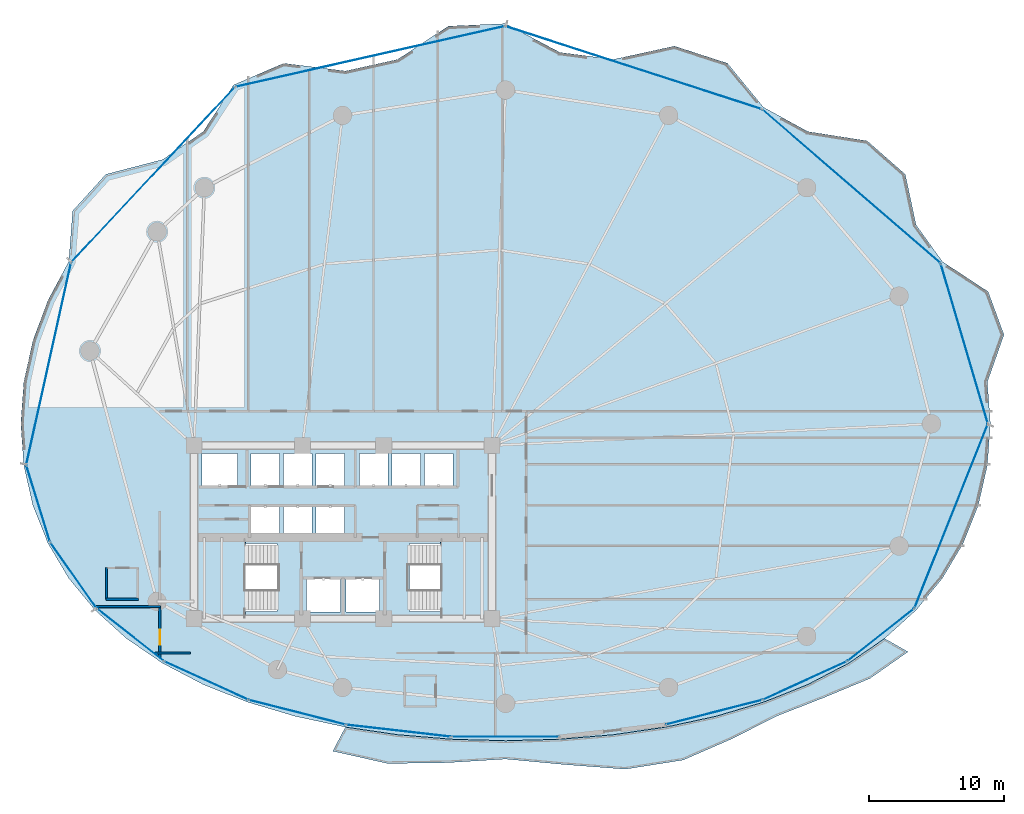
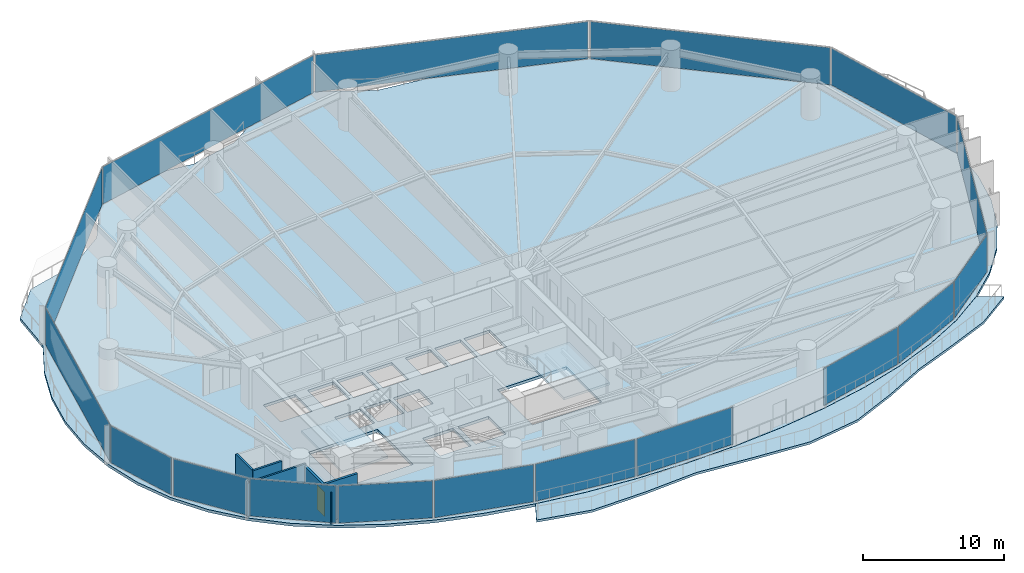
# One storey, part 25 of 33: 17 plates, 5 walls, 4 slabs, 1 door, 1 opening, 19 elements without a shape of their own.
"""IFC4 building model written with IfcOpenShell, lengths in metres."""

import ifcopenshell
import ifcopenshell.guid

model = None  # the IFC model being written
_history = None  # IfcOwnerHistory: only IFC2X3 demands one
_inside = {}  # id of a spatial element -> (the spatial element, [elements in it])
_under = {}  # id of a project, library or spatial element -> (it, [spatial elements below it])
_declared = {}  # id of a project -> (the project, [libraries it declares])
_typed = {}  # id of a type object -> (the type object, [elements of that type])
_made_of = {}  # id of a material, layer set ... -> (it, [elements and type objects made of it])


def new_model(schema):
    """Start an empty IFC model of exactly this schema.

    Asked for "IFC4X3", IfcOpenShell would pick the latest addendum, in which some entities
    have other attributes; the version numbers below select the first issue.
    IFC2X3 requires an IfcOwnerHistory on every rooted entity: one is made here for all.
    """
    global model, _history
    if schema == "IFC4X3":
        model = ifcopenshell.file(schema_version=(4, 3, 0, 0))
    else:
        model = ifcopenshell.file(schema=schema)
    _inside.clear()
    _under.clear()
    _declared.clear()
    _typed.clear()
    _made_of.clear()
    _history = None
    if model.schema == "IFC2X3":
        org = make("IfcOrganization", Name="unknown")
        user = make(
            "IfcPersonAndOrganization",
            ThePerson=make("IfcPerson", FamilyName="unknown"),
            TheOrganization=org,
        )
        app = make(
            "IfcApplication",
            ApplicationDeveloper=org,
            Version="unknown",
            ApplicationFullName="unknown",
            ApplicationIdentifier="unknown",
        )
        _history = make(
            "IfcOwnerHistory",
            OwningUser=user,
            OwningApplication=app,
            ChangeAction="ADDED",
            CreationDate=0,
        )
    return model


def make(cls, **values):
    """One entity of the class cls with the attributes given. An attribute that is None is left unset."""
    return model.create_entity(
        cls, **{name: value for name, value in values.items() if value is not None}
    )


def rooted(cls, **values):
    """An entity with a GlobalId (a new one), such as an element, a storey or a relation."""
    return make(cls, GlobalId=ifcopenshell.guid.new(), OwnerHistory=_history, **values)


def si_unit(unit_type, name, prefix=None):
    """IfcSIUnit, for example si_unit("LENGTHUNIT", "METRE", prefix="MILLI")."""
    return make("IfcSIUnit", UnitType=unit_type, Prefix=prefix, Name=name)


def assignment(units):
    """IfcUnitAssignment: the units of a project."""
    return None if units is None else make("IfcUnitAssignment", Units=units)


def point(xyz):
    """IfcCartesianPoint."""
    return None if xyz is None else make("IfcCartesianPoint", Coordinates=xyz)


def direction(xyz):
    """IfcDirection."""
    return None if xyz is None else make("IfcDirection", DirectionRatios=xyz)


def frame(location, z_axis=None, x_axis=None):
    """IfcAxis2Placement3D, a coordinate frame: its origin and axes. An axis left out is left unset."""
    return make(
        "IfcAxis2Placement3D",
        Location=point(location),
        Axis=direction(z_axis),
        RefDirection=direction(x_axis),
    )


def frame_2d(location, x_axis=None):
    """IfcAxis2Placement2D, a coordinate frame in the plane: its origin and x axis."""
    return make(
        "IfcAxis2Placement2D", Location=point(location), RefDirection=direction(x_axis)
    )


def origin():
    """The frame at (0, 0, 0) with its axes left unset."""
    return frame((0.0, 0.0, 0.0))


def origin_2d():
    """The frame at (0, 0) in the plane with its x axis left unset."""
    return frame_2d((0.0, 0.0))


def place(relative_to, where):
    """IfcLocalPlacement: puts the frame where relative to a parent placement (None: the world)."""
    return make(
        "IfcLocalPlacement", PlacementRelTo=relative_to, RelativePlacement=where
    )


def context(
    kind, dimensions, precision=None, world=None, true_north=None, identifier=None
):
    """IfcGeometricRepresentationContext, for example the 3D "Model" context."""
    return make(
        "IfcGeometricRepresentationContext",
        ContextIdentifier=identifier,
        ContextType=kind,
        CoordinateSpaceDimension=dimensions,
        Precision=precision,
        WorldCoordinateSystem=world,
        TrueNorth=true_north,
    )


def subcontext(parent, identifier, kind, view, scale=None):
    """IfcGeometricRepresentationSubContext, for example "Body" below "Model"."""
    return make(
        "IfcGeometricRepresentationSubContext",
        ContextIdentifier=identifier,
        ContextType=kind,
        ParentContext=parent,
        TargetScale=scale,
        TargetView=view,
    )


def project(units=None, contexts=None):
    """IfcProject with its units and contexts."""
    return rooted(
        "IfcProject",
        Name="project",
        RepresentationContexts=contexts,
        UnitsInContext=assignment(units),
    )


def spatial(cls, under=None, at=None, **own):
    """A site, building, storey or space (cls), placed at a placement, below another one or the project."""
    s = rooted(cls, ObjectPlacement=at, **own)
    if under is not None:
        _under.setdefault(under.id(), (under, []))[1].append(s)
    return s


def polyline(points):
    """IfcPolyline through the points."""
    return make("IfcPolyline", Points=[point(p) for p in points])


def profile(cls, at=None, kind="AREA", **sizes):
    """A parametric profile (cls). Its sizes go by their IFC names, for example OverallWidth=200.0."""
    return make(cls, ProfileType=kind, Position=at, **sizes)


def rectangle(**sizes):
    """IfcRectangleProfileDef."""
    return profile("IfcRectangleProfileDef", **sizes)


def outline(outer, holes=None, kind="AREA"):
    """IfcArbitraryClosedProfileDef: a profile drawn as a closed curve; with holes, ...WithVoids."""
    if holes is None:
        return make("IfcArbitraryClosedProfileDef", ProfileType=kind, OuterCurve=outer)
    return make(
        "IfcArbitraryProfileDefWithVoids",
        ProfileType=kind,
        OuterCurve=outer,
        InnerCurves=holes,
    )


def extrude(swept, where, along, depth):
    """IfcExtrudedAreaSolid: the profile swept, set in the frame where, extruded along a direction by depth."""
    return make(
        "IfcExtrudedAreaSolid",
        SweptArea=swept,
        Position=where,
        ExtrudedDirection=direction(along),
        Depth=depth,
    )


def shape(context_of_items, identifier, shape_type, items):
    """IfcShapeRepresentation: the items that make up one representation, for example the "Body"."""
    return make(
        "IfcShapeRepresentation",
        ContextOfItems=context_of_items,
        RepresentationIdentifier=identifier,
        RepresentationType=shape_type,
        Items=items,
    )


def material(Name=None, Category=None):
    """IfcMaterial."""
    return make("IfcMaterial", Name=Name, Category=Category)


def layer(
    of_material, thickness, ventilated=None, Name=None, Category=None, Priority=None
):
    """IfcMaterialLayer: one layer of a wall or slab, of a material (None: an air gap)."""
    return make(
        "IfcMaterialLayer",
        Material=of_material,
        LayerThickness=thickness,
        IsVentilated=ventilated,
        Name=Name,
        Category=Category,
        Priority=Priority,
    )


def layer_set(layers, Name=None):
    """IfcMaterialLayerSet."""
    return make("IfcMaterialLayerSet", MaterialLayers=layers, LayerSetName=Name)


def made_of(thing, what):
    """Note that an element or type object is made of a material, layer set ...; save() writes the relation."""
    if what is not None:
        _made_of.setdefault(what.id(), (what, []))[1].append(thing)
    return thing


def type_object(cls, material=None, **own):
    """A type object (cls), such as IfcWallType, which elements share."""
    return made_of(rooted(cls, **own), material)


def element(
    cls,
    number,
    at=None,
    inside=None,
    cuts=None,
    type_object=None,
    material=None,
    context=None,
    identifier="Body",
    shape_type=None,
    held_by="IfcProductDefinitionShape",
    body=None,
    shapes=None,
    **own,
):
    """One element of the class cls, such as IfcWall. Its Tag is "e" and its number.

    at: its placement. inside: the storey or other place that contains it. cuts: it is an
    opening in that element (IfcRelVoidsElement). A single representation is given by context,
    identifier, shape_type and body (its items); several are given by shapes. held_by: the class
    of the entity that holds the representations. save() writes the other relations.
    """
    e = rooted(cls, Tag="e%d" % number, ObjectPlacement=at, **own)
    if body is not None:
        shapes = [shape(context, identifier, shape_type, body)]
    if shapes is not None:
        e.Representation = make(held_by, Representations=shapes)
    if inside is not None:
        _inside.setdefault(inside.id(), (inside, []))[1].append(e)
    if cuts is not None:
        rooted(
            "IfcRelVoidsElement", RelatingBuildingElement=cuts, RelatedOpeningElement=e
        )
    if type_object is not None:
        _typed.setdefault(type_object.id(), (type_object, []))[1].append(e)
    return made_of(e, material)


def fill(opening, filler):
    """IfcRelFillsElement: the door or window that sits in an opening."""
    return rooted(
        "IfcRelFillsElement",
        RelatingOpeningElement=opening,
        RelatedBuildingElement=filler,
    )


def aggregate(whole, parts):
    """IfcRelAggregates: a whole, such as a stair, and the parts it consists of."""
    return rooted("IfcRelAggregates", RelatingObject=whole, RelatedObjects=parts)


def save(model, path):
    """Write the relations noted so far, then the file.

    IfcRelAggregates (storeys below a building ...), IfcRelContainedInSpatialStructure (elements
    in a storey), IfcRelDefinesByType, IfcRelAssociatesMaterial and IfcRelDeclares: one each for
    every whole, place, type object, material and project.
    """
    for whole, parts in _under.values():
        aggregate(whole, parts)
    for where, things in _inside.values():
        rooted(
            "IfcRelContainedInSpatialStructure",
            RelatedElements=things,
            RelatingStructure=where,
        )
    for kind, things in _typed.values():
        rooted("IfcRelDefinesByType", RelatedObjects=things, RelatingType=kind)
    for what, things in _made_of.values():
        rooted("IfcRelAssociatesMaterial", RelatedObjects=things, RelatingMaterial=what)
    for by, libraries in _declared.values():
        rooted("IfcRelDeclares", RelatingContext=by, RelatedDefinitions=libraries)
    model.write(path)


model = new_model("IFC4")

# Units and contexts
model_context = context("Model", 3, precision=1e-05, world=origin(), true_north=direction((0.0, 1.0)))
body_context = subcontext(model_context, "Body", "Model", "MODEL_VIEW")
ifc_project = project(units=[si_unit("LENGTHUNIT", "METRE"), si_unit("AREAUNIT", "SQUARE_METRE"), si_unit("VOLUMEUNIT", "CUBIC_METRE"), si_unit("PLANEANGLEUNIT", "RADIAN"), si_unit("MASSUNIT", "GRAM", prefix="KILO")], contexts=[model_context])

# Site, building, storey
site_placement = place(None, origin())
site = spatial("IfcSite", under=ifc_project, at=site_placement, CompositionType="ELEMENT")
building_placement = place(site_placement, origin())
building = spatial("IfcBuilding", under=site, at=building_placement, Name="Kazevale Care Tower and Concert Hall", CompositionType="ELEMENT")
storey_placement = place(building_placement, frame((0.0, 0.0, 45.60009765625)))
storey = spatial("IfcBuildingStorey", under=building, at=storey_placement, Name="L11", CompositionType="ELEMENT", Elevation=45.60009765625)

# Curtain wall, plate
ifc_material_1 = material(Name="Aluminium 6063-T6 and Low-E Glass", Category="aluminium")
ifc_layer_1 = layer(ifc_material_1, 0.179931640625)
ifc_layer_set_1 = layer_set([ifc_layer_1], Name="Aluminium 6063-T6 and Low-E Glass")
curtain_wall_type_1 = type_object("IfcCurtainWallType", Name="Convex Checkerboard Finned Curtain Wall CW-2", PredefinedType="NOTDEFINED", material=ifc_layer_set_1)
curtain_wall_1_placement = place(storey_placement, origin())
curtain_wall_1 = element("IfcCurtainWall", 1, at=curtain_wall_1_placement, inside=storey, type_object=curtain_wall_type_1, Name="cw:L11:f14", PredefinedType="NOTDEFINED")
ifc_material_2 = material(Name="Low-E Laminated Glass", Category="glass")
ifc_layer_2 = layer(ifc_material_2, 0.028076171875)
ifc_layer_set_2 = layer_set([ifc_layer_2], Name="Low-E Laminated Glass")
plate_type_1 = type_object("IfcPlateType", Name="CW-2 Low-E Glazing Panel 28mm", PredefinedType="CURTAIN_PANEL", material=ifc_layer_set_2)
plate_1_placement = place(storey_placement, frame((18.9794921875, 56.39990234375, 0.074951171875), z_axis=(0.0, 0.0, 1.0), x_axis=(0.683059159381, 0.730363049987, 0.0)))
plate_1 = element("IfcPlate", 2, at=plate_1_placement, type_object=plate_type_1, Name="CW-2 panel 1.1", PredefinedType="CURTAIN_PANEL", context=body_context, shape_type="SweptSolid", body=[
    extrude(rectangle(XDim=17.576416015625, YDim=0.028076171875, at=origin_2d()), origin(), (0.0, 0.0, 1.0), 3.2099609375),
])
aggregate(curtain_wall_1, [plate_1])

curtain_wall_2_placement = place(storey_placement, origin())
curtain_wall_2 = element("IfcCurtainWall", 3, at=curtain_wall_2_placement, inside=storey, type_object=curtain_wall_type_1, Name="cw:L11:f16", PredefinedType="NOTDEFINED")
plate_2_placement = place(storey_placement, frame((54.444580078125, 64.298095703125, 0.074951171875), z_axis=(0.0, 0.0, 1.0), x_axis=(0.951410385043, -0.307925769029, 0.0)))
plate_2 = element("IfcPlate", 4, at=plate_2_placement, type_object=plate_type_1, Name="CW-2 panel 1.1", PredefinedType="CURTAIN_PANEL", context=body_context, shape_type="SweptSolid", body=[
    extrude(rectangle(XDim=19.77978515625, YDim=0.028076171875, at=origin_2d()), origin(), (0.0, 0.0, 1.0), 3.2099609375),
])
aggregate(curtain_wall_2, [plate_2])

ifc_layer_3 = layer(ifc_material_1, 0.179931640625)
ifc_layer_set_3 = layer_set([ifc_layer_3], Name="Aluminium 6063-T6 and Low-E Glass")
curtain_wall_type_2 = type_object("IfcCurtainWallType", Name="Convex Recessed Sunroom Curtain Wall CW-3", PredefinedType="NOTDEFINED", material=ifc_layer_set_3)
curtain_wall_3_placement = place(storey_placement, origin())
curtain_wall_3 = element("IfcCurtainWall", 5, at=curtain_wall_3_placement, inside=storey, type_object=curtain_wall_type_2, Name="cw:L11:f15", PredefinedType="NOTDEFINED")
ifc_layer_4 = layer(ifc_material_2, 0.028076171875)
ifc_layer_set_4 = layer_set([ifc_layer_4], Name="Low-E Laminated Glass")
plate_type_2 = type_object("IfcPlateType", Name="CW-3 Low-E Glazing Panel 28mm", PredefinedType="CURTAIN_PANEL", material=ifc_layer_set_4)
plate_3_placement = place(storey_placement, frame((34.998046875, 65.12255859375, 0.074951171875), z_axis=(0.0, 0.0, 1.0), x_axis=(0.975520013596, 0.219910670667, 0.0)))
plate_3 = element("IfcPlate", 6, at=plate_3_placement, type_object=plate_type_2, Name="CW-3 panel 1.1", PredefinedType="CURTAIN_PANEL", context=body_context, shape_type="SweptSolid", body=[
    extrude(rectangle(XDim=20.27197265625, YDim=0.028076171875, at=origin_2d()), origin(), (0.0, 0.0, 1.0), 3.2099609375),
])
aggregate(curtain_wall_3, [plate_3])

curtain_wall_4_placement = place(storey_placement, origin())
curtain_wall_4 = element("IfcCurtainWall", 7, at=curtain_wall_4_placement, inside=storey, type_object=curtain_wall_type_2, Name="cw:L11:f17", PredefinedType="NOTDEFINED")
plate_4_placement = place(storey_placement, frame((70.529052734375, 55.535400390625, 0.074951171875), z_axis=(0.0, 0.0, 1.0), x_axis=(0.757199570248, -0.653183596561, 0.0)))
plate_4 = element("IfcPlate", 8, at=plate_4_placement, type_object=plate_type_2, Name="CW-3 panel 1.1", PredefinedType="CURTAIN_PANEL", context=body_context, shape_type="SweptSolid", body=[
    extrude(rectangle(XDim=17.280029296875, YDim=0.028076171875, at=origin_2d()), origin(), (0.0, 0.0, 1.0), 3.2099609375),
])
aggregate(curtain_wall_4, [plate_4])

ifc_layer_5 = layer(ifc_material_1, 0.179931640625)
ifc_layer_set_5 = layer_set([ifc_layer_5], Name="Aluminium 6063-T6 and Low-E Glass")
curtain_wall_type_3 = type_object("IfcCurtainWallType", Name="Waist & Upper Residential Curtain Wall CW-4", PredefinedType="NOTDEFINED", material=ifc_layer_set_5)
curtain_wall_5_placement = place(storey_placement, origin())
curtain_wall_5 = element("IfcCurtainWall", 9, at=curtain_wall_5_placement, inside=storey, type_object=curtain_wall_type_3, Name="cw:L11:f01", PredefinedType="NOTDEFINED")
ifc_layer_6 = layer(ifc_material_2, 0.030029296875)
ifc_layer_set_6 = layer_set([ifc_layer_6], Name="Low-E Laminated Glass")
plate_type_3 = type_object("IfcPlateType", Name="CW-4 Low-E Glazing Panel 30mm", PredefinedType="CURTAIN_PANEL", material=ifc_layer_set_6)
plate_5_placement = place(storey_placement, frame((77.90087890625, 31.181884765625, 0.080078125), z_axis=(0.0, 0.0, 1.0), x_axis=(-0.370427424456, -0.928861412274, 0.0)))
plate_5 = element("IfcPlate", 10, at=plate_5_placement, type_object=plate_type_3, Name="CW-4 panel 1.1", PredefinedType="CURTAIN_PANEL", context=body_context, shape_type="SweptSolid", body=[
    extrude(rectangle(XDim=14.520263671875, YDim=0.030029296875, at=origin_2d()), origin(), (0.0, 0.0, 1.0), 3.199951171875),
])
aggregate(curtain_wall_5, [plate_5])

curtain_wall_6_placement = place(storey_placement, origin())
curtain_wall_6 = element("IfcCurtainWall", 11, at=curtain_wall_6_placement, inside=storey, type_object=curtain_wall_type_3, Name="cw:L11:f11", PredefinedType="NOTDEFINED")
plate_6_placement = place(storey_placement, frame((13.094482421875, 26.81103515625, 0.080078125), z_axis=(0.0, 0.0, 1.0), x_axis=(-0.575836813322, 0.817564654583, 0.0)))
plate_6 = element("IfcPlate", 12, at=plate_6_placement, type_object=plate_type_3, Name="CW-4 panel 1.1", PredefinedType="CURTAIN_PANEL", context=body_context, shape_type="SweptSolid", body=[
    extrude(rectangle(XDim=5.826171875, YDim=0.030029296875, at=origin_2d()), origin(), (0.0, 0.0, 1.0), 3.199951171875),
])
aggregate(curtain_wall_6, [plate_6])

curtain_wall_7_placement = place(storey_placement, origin())
curtain_wall_7 = element("IfcCurtainWall", 13, at=curtain_wall_7_placement, inside=storey, type_object=curtain_wall_type_3, Name="cw:L11:f12", PredefinedType="NOTDEFINED")
plate_7_placement = place(storey_placement, frame((10.487548828125, 32.10791015625, 0.080078125), z_axis=(0.0, 0.0, 1.0), x_axis=(-0.296098771112, 0.955157326175, 0.0)))
plate_7 = element("IfcPlate", 14, at=plate_7_placement, type_object=plate_type_3, Name="CW-4 panel 1.1", PredefinedType="CURTAIN_PANEL", context=body_context, shape_type="SweptSolid", body=[
    extrude(rectangle(XDim=5.8076171875, YDim=0.030029296875, at=origin_2d()), origin(), (0.0, 0.0, 1.0), 3.199951171875),
])
aggregate(curtain_wall_7, [plate_7])

curtain_wall_8_placement = place(storey_placement, origin())
curtain_wall_8 = element("IfcCurtainWall", 15, at=curtain_wall_8_placement, inside=storey, type_object=curtain_wall_type_3, Name="cw:L11:f13", PredefinedType="NOTDEFINED")
plate_8_placement = place(storey_placement, frame((11.262939453125, 42.4404296875, 0.080078125), z_axis=(0.0, 0.0, 1.0), x_axis=(0.216460716862, 0.976291328475, 0.0)))
plate_8 = element("IfcPlate", 16, at=plate_8_placement, type_object=plate_type_3, Name="CW-4 panel 1.1", PredefinedType="CURTAIN_PANEL", context=body_context, shape_type="SweptSolid", body=[
    extrude(rectangle(XDim=15.16845703125, YDim=0.030029296875, at=origin_2d()), origin(), (0.0, 0.0, 1.0), 3.199951171875),
])
aggregate(curtain_wall_8, [plate_8])

curtain_wall_9_placement = place(storey_placement, origin())
curtain_wall_9 = element("IfcCurtainWall", 17, at=curtain_wall_9_placement, inside=storey, type_object=curtain_wall_type_3, Name="cw:L11:f18", PredefinedType="NOTDEFINED")
plate_9_placement = place(storey_placement, frame((78.8740234375, 43.92138671875, 0.080078125), z_axis=(0.0, 0.0, 1.0), x_axis=(0.282819600918, -0.959173119586, 0.0)))
plate_9 = element("IfcPlate", 18, at=plate_9_placement, type_object=plate_type_3, Name="CW-4 panel 1.1", PredefinedType="CURTAIN_PANEL", context=body_context, shape_type="SweptSolid", body=[
    extrude(rectangle(XDim=12.18701171875, YDim=0.030029296875, at=origin_2d()), origin(), (0.0, 0.0, 1.0), 3.199951171875),
])
aggregate(curtain_wall_9, [plate_9])

ifc_layer_7 = layer(ifc_material_1, 0.179931640625)
ifc_layer_set_7 = layer_set([ifc_layer_7], Name="Aluminium 6063-T6 and Low-E Glass")
curtain_wall_type_4 = type_object("IfcCurtainWallType", Name="Sheltered Concave Balcony Curtain Wall CW-5", PredefinedType="NOTDEFINED", material=ifc_layer_set_7)
curtain_wall_10_placement = place(storey_placement, origin())
curtain_wall_10 = element("IfcCurtainWall", 19, at=curtain_wall_10_placement, inside=storey, type_object=curtain_wall_type_4, Name="cw:L11:f02", PredefinedType="NOTDEFINED")
ifc_layer_8 = layer(ifc_material_2, 0.02587890625)
ifc_layer_set_8 = layer_set([ifc_layer_8], Name="Low-E Laminated Glass")
plate_type_4 = type_object("IfcPlateType", Name="CW-5 Low-E Glazing Panel 26mm", PredefinedType="CURTAIN_PANEL", material=ifc_layer_set_8)
plate_10_placement = place(storey_placement, frame((72.701904296875, 22.41552734375, 0.074951171875), z_axis=(0.0, 0.0, 1.0), x_axis=(-0.78632934107, -0.617807548814, 0.0)))
plate_10 = element("IfcPlate", 20, at=plate_10_placement, type_object=plate_type_4, Name="CW-5 panel 1.1", PredefinedType="CURTAIN_PANEL", context=body_context, shape_type="SweptSolid", body=[
    extrude(rectangle(XDim=6.15771484375, YDim=0.02587890625, at=origin_2d()), origin(), (0.0, 0.0, 1.0), 3.2099609375),
])
aggregate(curtain_wall_10, [plate_10])

curtain_wall_11_placement = place(storey_placement, origin())
curtain_wall_11 = element("IfcCurtainWall", 21, at=curtain_wall_11_placement, inside=storey, type_object=curtain_wall_type_4, Name="cw:L11:f03", PredefinedType="NOTDEFINED")
plate_11_placement = place(storey_placement, frame((67.10498046875, 19.04248046875, 0.074951171875), z_axis=(0.0, 0.0, 1.0), x_axis=(-0.909520179795, -0.415659767773, 0.0)))
plate_11 = element("IfcPlate", 22, at=plate_11_placement, type_object=plate_type_4, Name="CW-5 panel 1.1", PredefinedType="CURTAIN_PANEL", context=body_context, shape_type="SweptSolid", body=[
    extrude(rectangle(XDim=6.7041015625, YDim=0.02587890625, at=origin_2d()), origin(), (0.0, 0.0, 1.0), 3.2099609375),
])
aggregate(curtain_wall_11, [plate_11])

curtain_wall_12_placement = place(storey_placement, origin())
curtain_wall_12 = element("IfcCurtainWall", 23, at=curtain_wall_12_placement, inside=storey, type_object=curtain_wall_type_4, Name="cw:L11:f04", PredefinedType="NOTDEFINED")
plate_12_placement = place(storey_placement, frame((60.389892578125, 16.699951171875, 0.074951171875), z_axis=(0.0, 0.0, 1.0), x_axis=(-0.968958899798, -0.247221864936, 0.0)))
plate_12 = element("IfcPlate", 24, at=plate_12_placement, type_object=plate_type_4, Name="CW-5 panel 1.1", PredefinedType="CURTAIN_PANEL", context=body_context, shape_type="SweptSolid", body=[
    extrude(rectangle(XDim=7.276611328125, YDim=0.02587890625, at=origin_2d()), origin(), (0.0, 0.0, 1.0), 3.2099609375),
])
aggregate(curtain_wall_12, [plate_12])

curtain_wall_13_placement = place(storey_placement, origin())
curtain_wall_13 = element("IfcCurtainWall", 25, at=curtain_wall_13_placement, inside=storey, type_object=curtain_wall_type_4, Name="cw:L11:f06", PredefinedType="NOTDEFINED")
plate_13_placement = place(storey_placement, frame((45.0, 14.889892578125, 0.074951171875), z_axis=(0.0, 0.0, 1.0), x_axis=(-1.0, 0.0, 0.0)))
plate_13 = element("IfcPlate", 26, at=plate_13_placement, type_object=plate_type_4, Name="CW-5 panel 1.1", PredefinedType="CURTAIN_PANEL", context=body_context, shape_type="SweptSolid", body=[
    extrude(rectangle(XDim=7.845947265625, YDim=0.02587890625, at=origin_2d()), origin(), (0.0, 0.0, 1.0), 3.2099609375),
])
aggregate(curtain_wall_13, [plate_13])

curtain_wall_14_placement = place(storey_placement, origin())
curtain_wall_14 = element("IfcCurtainWall", 27, at=curtain_wall_14_placement, inside=storey, type_object=curtain_wall_type_4, Name="cw:L11:f07", PredefinedType="NOTDEFINED")
plate_14_placement = place(storey_placement, frame((37.10498046875, 15.3359375, 0.074951171875), z_axis=(0.0, 0.0, 1.0), x_axis=(-0.993514581883, 0.113704773808, 0.0)))
plate_14 = element("IfcPlate", 28, at=plate_14_placement, type_object=plate_type_4, Name="CW-5 panel 1.1", PredefinedType="CURTAIN_PANEL", context=body_context, shape_type="SweptSolid", body=[
    extrude(rectangle(XDim=7.69482421875, YDim=0.02587890625, at=origin_2d()), origin(), (0.0, 0.0, 1.0), 3.2099609375),
])
aggregate(curtain_wall_14, [plate_14])

curtain_wall_15_placement = place(storey_placement, origin())
curtain_wall_15 = element("IfcCurtainWall", 29, at=curtain_wall_15_placement, inside=storey, type_object=curtain_wall_type_4, Name="cw:L11:f08", PredefinedType="NOTDEFINED")
plate_15_placement = place(storey_placement, frame((29.610107421875, 16.699951171875, 0.074951171875), z_axis=(0.0, 0.0, 1.0), x_axis=(-0.968958899798, 0.247221864936, 0.0)))
plate_15 = element("IfcPlate", 30, at=plate_15_placement, type_object=plate_type_4, Name="CW-5 panel 1.1", PredefinedType="CURTAIN_PANEL", context=body_context, shape_type="SweptSolid", body=[
    extrude(rectangle(XDim=7.276611328125, YDim=0.02587890625, at=origin_2d()), origin(), (0.0, 0.0, 1.0), 3.2099609375),
])
aggregate(curtain_wall_15, [plate_15])

curtain_wall_16_placement = place(storey_placement, origin())
curtain_wall_16 = element("IfcCurtainWall", 31, at=curtain_wall_16_placement, inside=storey, type_object=curtain_wall_type_4, Name="cw:L11:f09", PredefinedType="NOTDEFINED")
plate_16_placement = place(storey_placement, frame((22.89501953125, 19.04248046875, 0.074951171875), z_axis=(0.0, 0.0, 1.0), x_axis=(-0.909520179795, 0.415659767773, 0.0)))
plate_16 = element("IfcPlate", 32, at=plate_16_placement, type_object=plate_type_4, Name="CW-5 panel 1.1", PredefinedType="CURTAIN_PANEL", context=body_context, shape_type="SweptSolid", body=[
    extrude(rectangle(XDim=6.7041015625, YDim=0.02587890625, at=origin_2d()), origin(), (0.0, 0.0, 1.0), 3.2099609375),
])
aggregate(curtain_wall_16, [plate_16])

curtain_wall_17_placement = place(storey_placement, origin())
curtain_wall_17 = element("IfcCurtainWall", 33, at=curtain_wall_17_placement, inside=storey, type_object=curtain_wall_type_4, Name="cw:L11:f10", PredefinedType="NOTDEFINED")
plate_17_placement = place(storey_placement, frame((17.298095703125, 22.41552734375, 0.074951171875), z_axis=(0.0, 0.0, 1.0), x_axis=(-0.78632934107, 0.617807548814, 0.0)))
plate_17 = element("IfcPlate", 34, at=plate_17_placement, type_object=plate_type_4, Name="CW-5 panel 1.1", PredefinedType="CURTAIN_PANEL", context=body_context, shape_type="SweptSolid", body=[
    extrude(rectangle(XDim=6.15771484375, YDim=0.02587890625, at=origin_2d()), origin(), (0.0, 0.0, 1.0), 3.2099609375),
])
aggregate(curtain_wall_17, [plate_17])

# Slab
ifc_material_3 = material(Name="Concrete C40", Category="concrete")
ifc_layer_9 = layer(ifc_material_3, 0.199951171875)
ifc_layer_set_9 = layer_set([ifc_layer_9], Name="Concrete C40")
slab_type_1 = type_object("IfcSlabType", Name="Sinusoidal Concave Balcony Slab 200", PredefinedType="USERDEFINED", material=ifc_layer_set_9)
slab_1_placement = place(storey_placement, frame((0.0, 0.0, -0.2001953125)))
element("IfcSlab", 35, at=slab_1_placement, inside=storey, type_object=slab_type_1, Name="slab:L11:bal", ObjectType="BALCONY", PredefinedType="USERDEFINED", context=body_context, shape_type="SweptSolid", body=[
    extrude(outline(polyline([(74.71484375, 21.166015625), (71.909423828125, 19.197509765625), (68.461181640625, 17.7646484375), (65.004150390625, 16.41455078125), (61.725830078125, 14.74462890625), (58.10986328125, 13.169921875), (53.849609375, 12.497802734375), (49.330322265625, 12.839599609375), (45.0, 13.246337890625), (40.693115234375, 12.9755859375), (36.295654296875, 12.91650390625), (32.23828125, 13.8291015625), (33.173583984375, 15.6005859375), (33.175048828125, 15.600341796875), (37.033203125, 15.038818359375), (40.991455078125, 14.705322265625), (45.0, 14.594970703125), (49.008544921875, 14.705322265625), (52.966796875, 15.038818359375), (56.824951171875, 15.600341796875), (60.5341796875, 16.3984375), (64.04833984375, 17.443115234375), (67.322998046875, 18.743408203125), (70.31689453125, 20.3076171875), (72.99267578125, 22.139404296875), (72.994140625, 22.140625), (74.71484375, 21.166015625)])), origin(), (0.0, 0.0, 1.0), 0.2001953125),
])

# Stair, slab
stair_type = type_object("IfcStairType", Name="Exit Stair Assembly ST1-Z1", PredefinedType="HALF_TURN_STAIR", material=ifc_material_3)
stair_1_placement = place(storey_placement, origin())
stair_1 = element("IfcStair", 36, at=stair_1_placement, inside=storey, type_object=stair_type, Name="stair:L11:ST1", PredefinedType="HALF_TURN_STAIR")
ifc_layer_10 = layer(ifc_material_3, 0.199951171875)
ifc_layer_set_10 = layer_set([ifc_layer_10], Name="Concrete C40")
slab_type_2 = type_object("IfcSlabType", Name="Stair Half-Landing Slab ST1-Z1", PredefinedType="LANDING", material=ifc_layer_set_10)
slab_2_placement = place(storey_placement, frame((0.0, 0.0, 1.599853515625)))
slab_2 = element("IfcSlab", 37, at=slab_2_placement, type_object=slab_type_2, Name="ST1-Z1 landing 1", PredefinedType="LANDING", context=body_context, shape_type="SweptSolid", body=[
    extrude(outline(polyline([(22.050048828125, 23.699951171875), (25.81005859375, 23.699951171875), (25.81005859375, 29.5), (22.050048828125, 29.5), (22.050048828125, 23.699951171875)])), origin(), (0.0, 0.0, 1.0), 0.199951171875),
])
aggregate(stair_1, [slab_2])

stair_2_placement = place(storey_placement, origin())
stair_2 = element("IfcStair", 38, at=stair_2_placement, inside=storey, type_object=stair_type, Name="stair:L11:ST2", PredefinedType="HALF_TURN_STAIR")
slab_3_placement = place(storey_placement, frame((0.0, 0.0, 1.599853515625)))
slab_3 = element("IfcSlab", 39, at=slab_3_placement, type_object=slab_type_2, Name="ST1-Z1 landing 1", PredefinedType="LANDING", context=body_context, shape_type="SweptSolid", body=[
    extrude(outline(polyline([(40.18994140625, 23.699951171875), (43.949951171875, 23.699951171875), (43.949951171875, 29.5), (40.18994140625, 29.5), (40.18994140625, 23.699951171875)])), origin(), (0.0, 0.0, 1.0), 0.199951171875),
])
aggregate(stair_2, [slab_3])

# Slab
ifc_layer_11 = layer(ifc_material_3, 0.239990234375)
ifc_layer_set_11 = layer_set([ifc_layer_11], Name="Concrete C40")
slab_type_3 = type_object("IfcSlabType", Name="Tower Typical Floor Slab 240", PredefinedType="FLOOR", material=ifc_layer_set_11)
slab_4_placement = place(storey_placement, frame((0.0, 0.0, -0.239990234375)))
element("IfcSlab", 40, at=slab_4_placement, inside=storey, type_object=slab_type_3, Name="slab:L11:tw:1", PredefinedType="FLOOR", context=body_context, shape_type="SweptSolid", body=[
    extrude(outline(polyline([(80.800048828125, 38.0), (80.574951171875, 41.090087890625), (81.803466796875, 44.575439453125), (80.631591796875, 47.759765625), (77.254638671875, 49.97509765625), (75.312744140625, 52.68408203125), (74.51416015625, 56.424072265625), (71.693359375, 58.89501953125), (67.32080078125, 59.57861328125), (64.046630859375, 61.36962890625), (61.379150390625, 64.62353515625), (57.468017578125, 65.891845703125), (52.96630859375, 64.907958984375), (49.00830078125, 65.426513671875), (45.0, 67.550048828125), (40.773193359375, 67.3642578125), (37.03369140625, 64.907958984375), (33.176025390625, 64.05126953125), (28.620849609375, 64.62353515625), (24.915771484375, 63.020751953125), (22.67919921875, 59.57861328125), (19.685546875, 57.51611328125), (15.48583984375, 56.424072265625), (13.0361328125, 53.721435546875), (12.745361328125, 49.97509765625), (11.208984375, 47.11572265625), (10.09765625, 44.1416015625), (9.425048828125, 41.090087890625), (9.199951171875, 38.0), (9.425048828125, 34.931640625), (10.09765625, 31.972412109375), (11.208984375, 29.178466796875), (12.745361328125, 26.591064453125), (14.687255859375, 24.239501953125), (17.010498046875, 22.143310546875), (19.685546875, 20.31201171875), (22.67919921875, 18.748046875), (25.953369140625, 17.44775390625), (29.467041015625, 16.4033203125), (33.176025390625, 15.605224609375), (37.03369140625, 15.043701171875), (40.99169921875, 14.71044921875), (45.0, 14.60009765625), (49.00830078125, 14.71044921875), (52.96630859375, 15.043701171875), (56.823974609375, 15.605224609375), (60.532958984375, 16.4033203125), (64.046630859375, 17.44775390625), (67.32080078125, 18.748046875), (70.314453125, 20.31201171875), (72.989501953125, 22.143310546875), (75.312744140625, 24.239501953125), (77.254638671875, 26.591064453125), (78.791015625, 29.178466796875), (79.90234375, 31.972412109375), (80.574951171875, 34.931640625), (80.800048828125, 38.0)]), holes=[polyline([(22.449951171875, 24.14990234375), (28.110107421875, 24.14990234375), (28.110107421875, 29.14990234375), (22.449951171875, 29.14990234375), (22.449951171875, 24.14990234375)]), polyline([(37.889892578125, 24.14990234375), (43.550048828125, 24.14990234375), (43.550048828125, 29.14990234375), (37.889892578125, 29.14990234375), (37.889892578125, 24.14990234375)]), polyline([(30.300048828125, 24.10009765625), (32.800048828125, 24.10009765625), (32.800048828125, 26.60009765625), (30.300048828125, 26.60009765625), (30.300048828125, 24.10009765625)]), polyline([(33.199951171875, 24.10009765625), (35.699951171875, 24.10009765625), (35.699951171875, 26.60009765625), (33.199951171875, 26.60009765625), (33.199951171875, 24.10009765625)]), polyline([(22.60009765625, 33.39990234375), (25.199951171875, 33.39990234375), (25.199951171875, 35.800048828125), (22.60009765625, 35.800048828125), (22.60009765625, 33.39990234375)]), polyline([(26.199951171875, 33.39990234375), (28.300048828125, 33.39990234375), (28.300048828125, 35.800048828125), (26.199951171875, 35.800048828125), (26.199951171875, 33.39990234375)]), polyline([(28.60009765625, 33.39990234375), (30.699951171875, 33.39990234375), (30.699951171875, 35.800048828125), (28.60009765625, 35.800048828125), (28.60009765625, 33.39990234375)]), polyline([(31.0, 33.39990234375), (33.10009765625, 33.39990234375), (33.10009765625, 35.800048828125), (31.0, 35.800048828125), (31.0, 33.39990234375)]), polyline([(34.199951171875, 33.39990234375), (36.300048828125, 33.39990234375), (36.300048828125, 35.800048828125), (34.199951171875, 35.800048828125), (34.199951171875, 33.39990234375)]), polyline([(36.60009765625, 33.39990234375), (38.699951171875, 33.39990234375), (38.699951171875, 35.800048828125), (36.60009765625, 35.800048828125), (36.60009765625, 33.39990234375)]), polyline([(39.0, 33.39990234375), (41.10009765625, 33.39990234375), (41.10009765625, 35.800048828125), (39.0, 35.800048828125), (39.0, 33.39990234375)]), polyline([(26.199951171875, 29.949951171875), (28.300048828125, 29.949951171875), (28.300048828125, 31.949951171875), (26.199951171875, 31.949951171875), (26.199951171875, 29.949951171875)]), polyline([(28.60009765625, 29.949951171875), (30.699951171875, 29.949951171875), (30.699951171875, 31.949951171875), (28.60009765625, 31.949951171875), (28.60009765625, 29.949951171875)]), polyline([(31.0, 29.949951171875), (33.10009765625, 29.949951171875), (33.10009765625, 31.949951171875), (31.0, 31.949951171875), (31.0, 29.949951171875)])]), origin(), (0.0, 0.0, 1.0), 0.239990234375),
])

# Wall
ifc_material_4 = material(Name="Acoustic Gypsum on Steel Stud", Category="steel")
ifc_layer_12 = layer(ifc_material_4, 0.139892578125)
ifc_layer_set_12 = layer_set([ifc_layer_12], Name="Acoustic Gypsum on Steel Stud")
wall_type_1 = type_object("IfcWallType", Name="Acoustic Care & Suite Partition 140", PredefinedType="PARTITIONING", material=ifc_layer_set_12)
wall_1_placement = place(storey_placement, frame((14.732177734375, 24.5, 0.0), z_axis=(0.0, 0.0, 1.0), x_axis=(1.0, 0.0, 0.0)))
element("IfcWall", 41, at=wall_1_placement, inside=storey, type_object=wall_type_1, Name="wall:L11:auto_033", PredefinedType="PARTITIONING", context=body_context, shape_type="SweptSolid", body=[
    extrude(rectangle(XDim=4.772705078125, YDim=0.139892578125, at=frame_2d((2.38623046875, 0.0))), origin(), (0.0, 0.0, 1.0), 2.889892578125),
])

# Wall, opening, door
ifc_material_5 = material(Name="Concrete C40 and Acoustic Gypsum", Category="concrete")
ifc_layer_13 = layer(ifc_material_5, 0.179931640625)
ifc_layer_set_13 = layer_set([ifc_layer_13], Name="Concrete C40 and Acoustic Gypsum")
wall_type_2 = type_object("IfcWallType", Name="Fire-Rated Corridor & Party Wall 180", PredefinedType="PARTITIONING", material=ifc_layer_set_13)
wall_2_placement = place(storey_placement, frame((19.47509765625, 20.695068359375, 0.0), z_axis=(0.0, 0.0, 1.0), x_axis=(0.0, 1.0, 0.0)))
wall_2 = element("IfcWall", 42, at=wall_2_placement, inside=storey, type_object=wall_type_2, Name="wall:L11:auto_016", PredefinedType="PARTITIONING", context=body_context, shape_type="SweptSolid", body=[
    extrude(rectangle(XDim=3.869873046875, YDim=0.179931640625, at=frame_2d((1.93505859375, 0.0))), origin(), (0.0, 0.0, 1.0), 2.73779296875),
])
opening_placement = place(wall_2_placement, frame((0.985107421875, 0.0, 0.0)))
opening = element("IfcOpeningElement", 43, at=opening_placement, cuts=wall_2, Name="Opening ID-1100", PredefinedType="OPENING", context=body_context, shape_type="SweptSolid", body=[
    extrude(rectangle(XDim=1.10009765625, YDim=2.10009765625, at=frame_2d((0.550048828125, 1.050048828125))), frame((0.0, 0.099853515625, 0.0), z_axis=(0.0, -1.0, 0.0), x_axis=(1.0, 0.0, 0.0)), (0.0, 0.0, 1.0), 0.199951171875),
])
ifc_material_6 = material(Name="Oak Timber Fire Leaf", Category="wood")
door_type = type_object("IfcDoorType", Name="Care Bedroom Accessible Door 1100x2100", OperationType="NOTDEFINED", PredefinedType="DOOR", material=ifc_material_6)
door_placement = place(opening_placement, origin())
door = element("IfcDoor", 44, at=door_placement, inside=storey, type_object=door_type, Name="door:L11:ad_016", OperationType="SINGLE_SWING_LEFT", OverallHeight=2.10009765625, OverallWidth=1.10009765625, PredefinedType="DOOR", context=body_context, shape_type="SweptSolid", body=[
    extrude(rectangle(XDim=1.10009765625, YDim=2.10009765625, at=frame_2d((0.550048828125, 1.050048828125))), frame((0.0, 0.02490234375, 0.0), z_axis=(0.0, -1.0, 0.0), x_axis=(1.0, 0.0, 0.0)), (0.0, 0.0, 1.0), 0.050048828125),
])
fill(opening, door)

# Walls
wall_3_placement = place(storey_placement, frame((21.739990234375, 21.074951171875, 0.0), z_axis=(0.0, 0.0, 1.0), x_axis=(-1.0, 0.0, 0.0)))
element("IfcWall", 45, at=wall_3_placement, inside=storey, type_object=wall_type_2, Name="wall:L11:auto_017", PredefinedType="PARTITIONING", context=body_context, shape_type="SweptSolid", body=[
    extrude(rectangle(XDim=2.64501953125, YDim=0.179931640625, at=frame_2d((1.322509765625, 0.0))), origin(), (0.0, 0.0, 1.0), 3.35986328125),
])
ifc_layer_14 = layer(ifc_material_4, 0.159912109375)
ifc_layer_set_14 = layer_set([ifc_layer_14], Name="Acoustic Gypsum on Steel Stud")
wall_type_3 = type_object("IfcWallType", Name="Moisture-Resistant Bathroom Plumbing Wall 160", PredefinedType="PLUMBINGWALL", material=ifc_layer_set_14)
for number, where, z_axis, x_axis, name in (
    (46, (15.5, 25.050048828125, 0.0), (0.0, 0.0, 1.0), (1.0, 0.0, 0.0), "wall:L11:wb2_ens_ws"),
    (47, (15.5400390625, 25.010009765625, 0.0), (0.0, 0.0, 1.0), (0.0, 1.0, 0.0), "wall:L11:wb2_ens_ww"),
):
    element("IfcWall", number, at=place(storey_placement, frame(where, z_axis=z_axis, x_axis=x_axis)), inside=storey, type_object=wall_type_3, Name=name, PredefinedType="PLUMBINGWALL", context=body_context, shape_type="SweptSolid", body=[
        extrude(rectangle(XDim=2.3798828125, YDim=0.159912109375, at=frame_2d((1.18994140625, 0.0))), origin(), (0.0, 0.0, 1.0), 3.35986328125),
    ])

save(model, "model.ifc")
